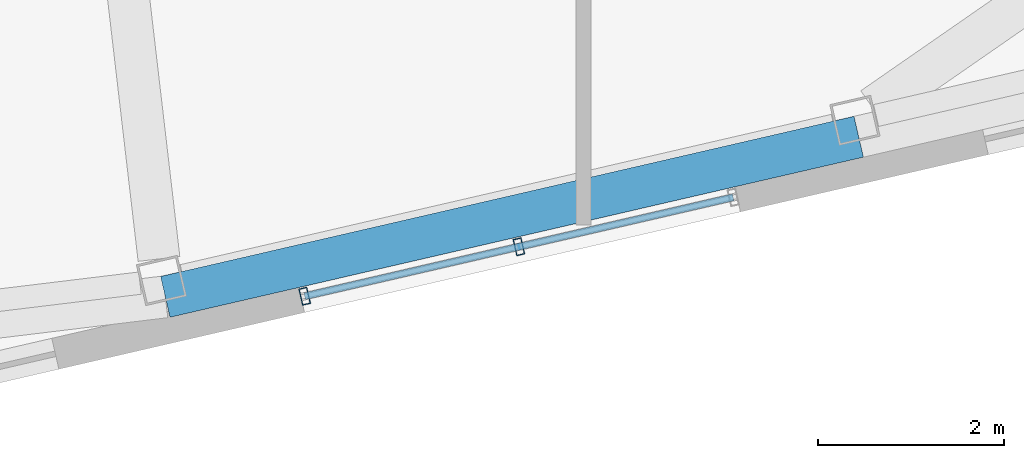
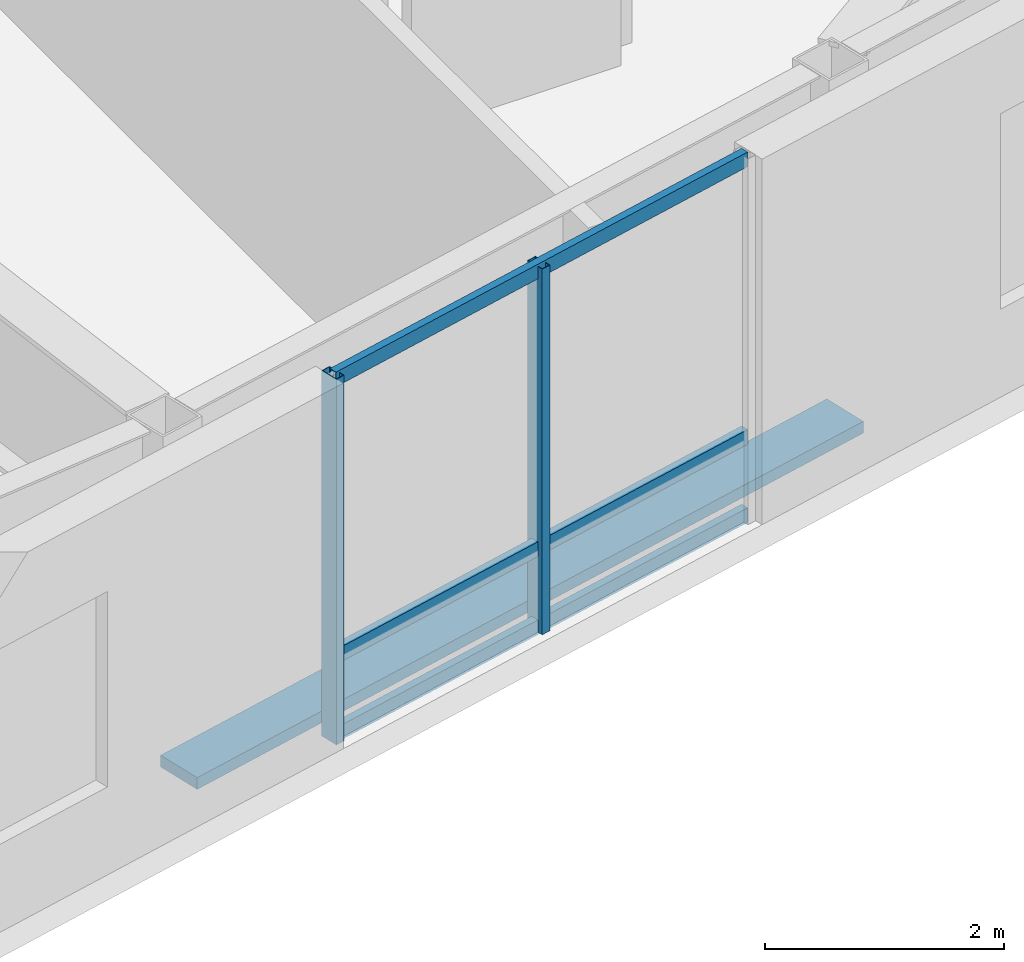
# One storey, part 6 of 21: 6 members, 1 element without a shape of its own.
"""IFC4 building model written with IfcOpenShell, lengths in metres."""

from ifc_helpers import new_model, si_unit, direction, frame, origin, origin_2d, place, context, subcontext, project, spatial, rectangle, hollow_rectangle, extrude, material, layer, layer_set, material_profile, profile_set, type_object, element, aggregate, save


model = new_model("IFC4")

# Units and contexts
model_context = context("Model", 3, precision=1e-05, world=origin(), true_north=direction((0.0, 1.0)))
body_context = subcontext(model_context, "Body", "Model", "MODEL_VIEW")
ifc_project = project(units=[si_unit("LENGTHUNIT", "METRE"), si_unit("AREAUNIT", "SQUARE_METRE"), si_unit("VOLUMEUNIT", "CUBIC_METRE"), si_unit("PLANEANGLEUNIT", "RADIAN"), si_unit("MASSUNIT", "GRAM", prefix="KILO")], contexts=[model_context])

# Site, building, storey
site_placement = place(None, origin())
site = spatial("IfcSite", under=ifc_project, at=site_placement, CompositionType="ELEMENT")
building_placement = place(site_placement, origin())
building = spatial("IfcBuilding", under=site, at=building_placement, Name="Tavrogorsk Clinical Tower", CompositionType="ELEMENT")
storey_placement = place(building_placement, frame((0.0, 0.0, 281.0)))
storey = spatial("IfcBuildingStorey", under=building, at=storey_placement, Name="L65", CompositionType="ELEMENT", Elevation=281.0)

# Member
ifc_material_1 = material(Name="Anodised aluminium alloy AW-6063", Category="aluminium")
ifc_material_profile_1 = material_profile(ifc_material_1, rectangle(XDim=0.449951171875, YDim=0.1201171875, at=origin_2d()), Name="ALU-SUNSHADE-450x120")
ifc_profile_set_1 = profile_set([ifc_material_profile_1], Name="Anodised aluminium alloy AW-6063")
member_type_1 = type_object("IfcMemberType", Name="ChicagoSunshade_450x120", PredefinedType="USERDEFINED", material=ifc_profile_set_1)
member_1_placement = place(storey_placement, frame((6.313232421875, -22.572509765625, 0.179931640625), z_axis=(0.97436370007, 0.224978621176, 0.0), x_axis=(-0.224978621176, 0.97436370007, 0.0)))
element("IfcMember", 1, at=member_1_placement, inside=storey, type_object=member_type_1, Name="L65 South Aluminium Sunshade S5", ObjectType="SUNSHADE", PredefinedType="USERDEFINED", context=body_context, shape_type="SweptSolid", body=[
    extrude(rectangle(XDim=0.449951171875, YDim=0.1201171875, at=origin_2d()), origin(), (0.0, 0.0, 1.0), 7.63427734375),
])

# Curtain wall, members
ifc_material_2 = material(Name="Anodised aluminium and triple IGU glazing", Category="aluminium")
ifc_layer = layer(ifc_material_2, 0.179931640625)
ifc_layer_set = layer_set([ifc_layer], Name="Anodised aluminium and triple IGU glazing")
curtain_wall_type = type_object("IfcCurtainWallType", Name="CW3_SouthSlot", PredefinedType="NOTDEFINED", material=ifc_layer_set)
curtain_wall_placement = place(storey_placement, origin())
curtain_wall = element("IfcCurtainWall", 2, at=curtain_wall_placement, inside=storey, type_object=curtain_wall_type, Name="L65 Curtain Wall CW-L65-S-SLOT-2", PredefinedType="NOTDEFINED")
ifc_material_3 = material(Name="Anodised aluminium alloy AW-6060", Category="aluminium")
ifc_material_profile_2 = material_profile(ifc_material_3, hollow_rectangle(XDim=0.090087890625, YDim=0.179931640625, WallThickness=0.00634765625, at=origin_2d()), Name="RHS-180x90x6.3")
ifc_profile_set_2 = profile_set([ifc_material_profile_2], Name="Anodised aluminium alloy AW-6060")
member_type_2 = type_object("IfcMemberType", Name="CwMullion_180x90", PredefinedType="MULLION", material=ifc_profile_set_2)
member_2_placement = place(storey_placement, frame((7.80810546875, -22.56591796875, 0.0), z_axis=(0.0, 0.0, 1.0), x_axis=(0.974370057377, 0.224951086434, 0.0)))
member_2 = element("IfcMember", 3, at=member_2_placement, type_object=member_type_2, Name="CW-L65-S-SLOT-2 Mullion 1", PredefinedType="MULLION", context=body_context, shape_type="SweptSolid", body=[
    extrude(hollow_rectangle(XDim=0.090087890625, YDim=0.179931640625, WallThickness=0.00634765625, at=origin_2d()), origin(), (0.0, 0.0, 1.0), 3.739990234375),
])
member_3_placement = place(storey_placement, frame((10.106689453125, -22.03515625, 0.0), z_axis=(0.0, 0.0, 1.0), x_axis=(0.974370057377, 0.224951086434, 0.0)))
member_3 = element("IfcMember", 4, at=member_3_placement, type_object=member_type_2, Name="CW-L65-S-SLOT-2 Mullion 2", PredefinedType="MULLION", context=body_context, shape_type="SweptSolid", body=[
    extrude(hollow_rectangle(XDim=0.090087890625, YDim=0.179931640625, WallThickness=0.00634765625, at=origin_2d()), origin(), (0.0, 0.0, 1.0), 3.739990234375),
])
ifc_material_4 = material(Name="Anodised aluminium alloy AW-6060", Category="aluminium")
ifc_material_profile_3 = material_profile(ifc_material_4, hollow_rectangle(XDim=0.074951171875, YDim=0.14990234375, WallThickness=0.0048828125, at=origin_2d()), Name="RHS-150x75x5")
ifc_profile_set_3 = profile_set([ifc_material_profile_3], Name="Anodised aluminium alloy AW-6060")
member_type_3 = type_object("IfcMemberType", Name="CwTransom_150x75", PredefinedType="USERDEFINED", material=ifc_profile_set_3)
member_4_placement = place(storey_placement, frame((7.80810546875, -22.56591796875, 0.050048828125), z_axis=(0.974372877948, 0.22493886885, 0.0), x_axis=(-0.22493886885, 0.974372877948, 0.0)))
member_4 = element("IfcMember", 5, at=member_4_placement, type_object=member_type_3, Name="CW-L65-S-SLOT-2 Transom 1", ObjectType="TRANSOM", PredefinedType="USERDEFINED", context=body_context, shape_type="SweptSolid", body=[
    extrude(hollow_rectangle(XDim=0.074951171875, YDim=0.14990234375, WallThickness=0.0048828125, at=origin_2d()), origin(), (0.0, 0.0, 1.0), 4.718017578125),
])
member_5_placement = place(storey_placement, frame((7.80810546875, -22.56591796875, 0.85009765625), z_axis=(0.974372877948, 0.22493886885, 0.0), x_axis=(-0.22493886885, 0.974372877948, 0.0)))
member_5 = element("IfcMember", 6, at=member_5_placement, type_object=member_type_3, Name="CW-L65-S-SLOT-2 Transom 2", ObjectType="TRANSOM", PredefinedType="USERDEFINED", context=body_context, shape_type="SweptSolid", body=[
    extrude(hollow_rectangle(XDim=0.074951171875, YDim=0.14990234375, WallThickness=0.0048828125, at=origin_2d()), origin(), (0.0, 0.0, 1.0), 4.718017578125),
])
member_6_placement = place(storey_placement, frame((7.80810546875, -22.56591796875, 3.68994140625), z_axis=(0.974372877948, 0.22493886885, 0.0), x_axis=(-0.22493886885, 0.974372877948, 0.0)))
member_6 = element("IfcMember", 7, at=member_6_placement, type_object=member_type_3, Name="CW-L65-S-SLOT-2 Transom 3", ObjectType="TRANSOM", PredefinedType="USERDEFINED", context=body_context, shape_type="SweptSolid", body=[
    extrude(hollow_rectangle(XDim=0.074951171875, YDim=0.14990234375, WallThickness=0.0048828125, at=origin_2d()), origin(), (0.0, 0.0, 1.0), 4.718017578125),
])
aggregate(curtain_wall, [member_2, member_3, member_4, member_5, member_6])

save(model, "model.ifc")
